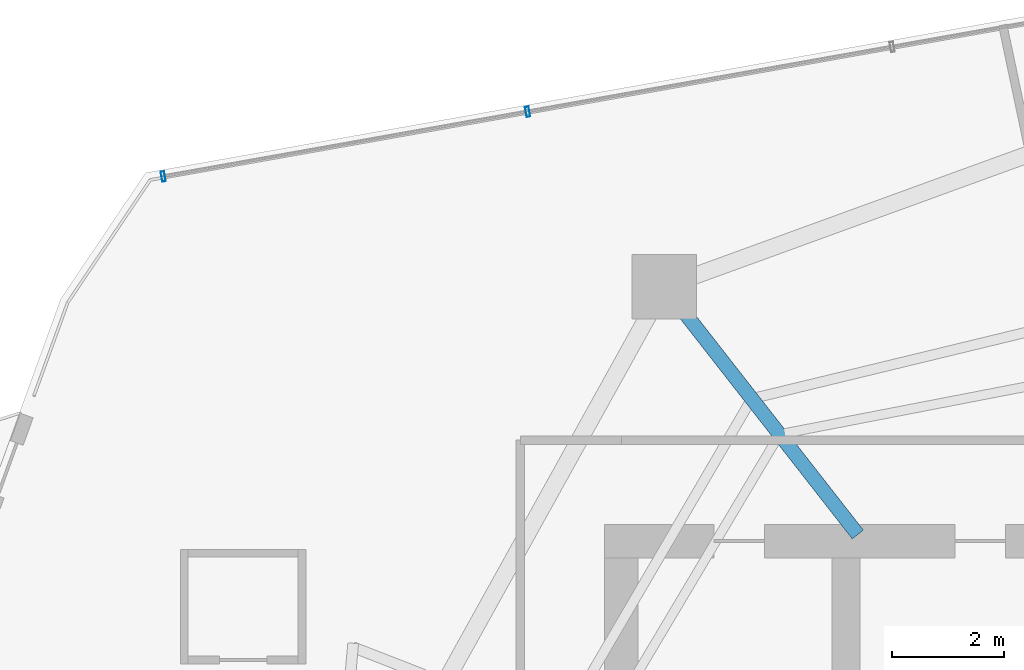
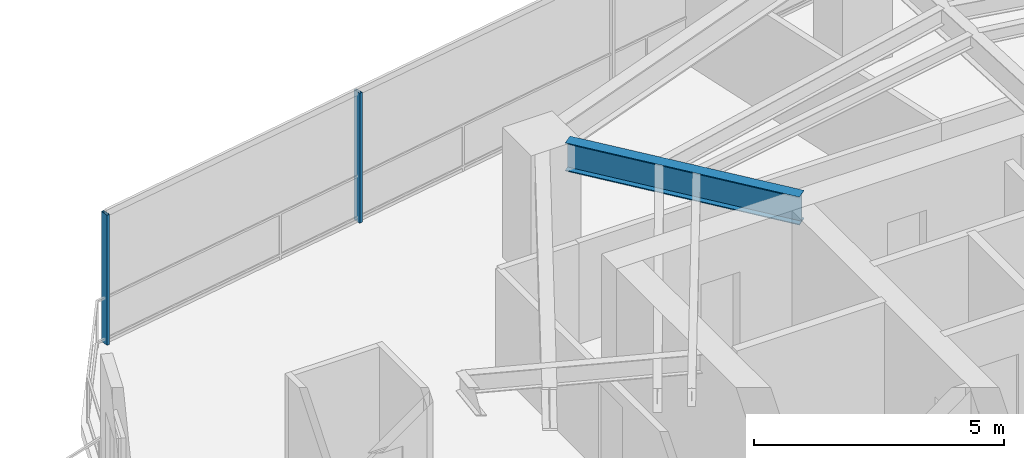
# One storey, part 16 of 27: 2 members, 1 beam, 1 element without a shape of its own.
"""IFC4 building model written with IfcOpenShell, lengths in metres."""

from ifc_helpers import new_model, si_unit, direction, frame, origin, origin_2d, place, context, subcontext, project, spatial, hollow_rectangle, i_section, extrude, material, layer, layer_set, material_profile, profile_set, type_object, element, aggregate, save


model = new_model("IFC4")

# Units and contexts
model_context = context("Model", 3, precision=1e-05, world=origin(), true_north=direction((0.0, 1.0)))
body_context = subcontext(model_context, "Body", "Model", "MODEL_VIEW")
ifc_project = project(units=[si_unit("LENGTHUNIT", "METRE"), si_unit("AREAUNIT", "SQUARE_METRE"), si_unit("VOLUMEUNIT", "CUBIC_METRE"), si_unit("PLANEANGLEUNIT", "RADIAN"), si_unit("MASSUNIT", "GRAM", prefix="KILO")], contexts=[model_context])

# Site, building, storey
site_placement = place(None, origin())
site = spatial("IfcSite", under=ifc_project, at=site_placement, CompositionType="ELEMENT")
building_placement = place(site_placement, origin())
building = spatial("IfcBuilding", under=site, at=building_placement, Name="Qarnah Convention Tower", CompositionType="ELEMENT")
storey_placement = place(building_placement, frame((0.0, 0.0, 103.949951171875)))
storey = spatial("IfcBuildingStorey", under=building, at=storey_placement, Name="L27", CompositionType="ELEMENT", Elevation=103.949951171875)

# Beam
ifc_material_1 = material(Name="Structural steel S355JR", Category="steel")
ifc_material_profile_1 = material_profile(ifc_material_1, i_section(OverallWidth=0.25390625, OverallDepth=0.68798828125, WebThickness=0.012939453125, FlangeThickness=0.02099609375, at=origin_2d()), Name="W690X152")
ifc_profile_set_1 = profile_set([ifc_material_profile_1], Name="Structural steel S355JR")
beam_type = type_object("IfcBeamType", Name="BM-RAD-W690", PredefinedType="BEAM", material=ifc_profile_set_1)
beam_placement = place(storey_placement, frame((31.013916015625, 34.318115234375, 2.825927734375), z_axis=(-0.61565061353, 0.788019239651, 0.0), x_axis=(-0.788019239651, -0.61565061353, 0.0)))
element("IfcBeam", 1, at=beam_placement, inside=storey, type_object=beam_type, Name="L27 beam BM-L27-RAD-04", PredefinedType="BEAM", context=body_context, shape_type="SweptSolid", body=[
    extrude(i_section(OverallWidth=0.25390625, OverallDepth=0.68798828125, WebThickness=0.012939453125, FlangeThickness=0.02099609375, at=origin_2d()), origin(), (0.0, 0.0, 1.0), 5.046630859375),
])

# Curtain wall, members
ifc_material_2 = material(Name="Tempered Low-E dark glass", Category="glass")
ifc_layer = layer(ifc_material_2, 0.169921875)
ifc_layer_set = layer_set([ifc_layer], Name="Tempered Low-E dark glass")
curtain_wall_type = type_object("IfcCurtainWallType", Name="CWS-02", PredefinedType="NOTDEFINED", material=ifc_layer_set)
curtain_wall_placement = place(storey_placement, origin())
curtain_wall = element("IfcCurtainWall", 2, at=curtain_wall_placement, inside=storey, type_object=curtain_wall_type, Name="L27 unitised curtain wall CW-L27-F3", PredefinedType="NOTDEFINED")
ifc_material_3 = material(Name="Black anodised aluminium", Category="aluminium")
ifc_material_profile_2 = material_profile(ifc_material_3, hollow_rectangle(XDim=0.06494140625, YDim=0.179931640625, WallThickness=0.00390625, at=origin_2d()), Name="MUL-65X180")
ifc_profile_set_2 = profile_set([ifc_material_profile_2], Name="Black anodised aluminium")
member_type = type_object("IfcMemberType", Name="MUL-T2", PredefinedType="MULLION", material=ifc_profile_set_2)
member_1_placement = place(storey_placement, frame((18.635986328125, 40.697021484375, 0.0), z_axis=(0.0, 0.0, 1.0), x_axis=(0.984561462952, 0.175039211808, 0.0)))
member_1 = element("IfcMember", 3, at=member_1_placement, type_object=member_type, Name="CW-L27-F3 mullion 1", PredefinedType="MULLION", context=body_context, shape_type="SweptSolid", body=[
    extrude(hollow_rectangle(XDim=0.06494140625, YDim=0.179931640625, WallThickness=0.00390625, at=origin_2d()), origin(), (0.0, 0.0, 1.0), 3.170166015625),
])
member_2_placement = place(storey_placement, frame((25.13037109375, 41.8515625, 0.0), z_axis=(0.0, 0.0, 1.0), x_axis=(0.984561462952, 0.175039211808, 0.0)))
member_2 = element("IfcMember", 4, at=member_2_placement, type_object=member_type, Name="CW-L27-F3 mullion 2", PredefinedType="MULLION", context=body_context, shape_type="SweptSolid", body=[
    extrude(hollow_rectangle(XDim=0.06494140625, YDim=0.179931640625, WallThickness=0.00390625, at=origin_2d()), origin(), (0.0, 0.0, 1.0), 3.170166015625),
])
aggregate(curtain_wall, [member_1, member_2])

save(model, "model.ifc")
